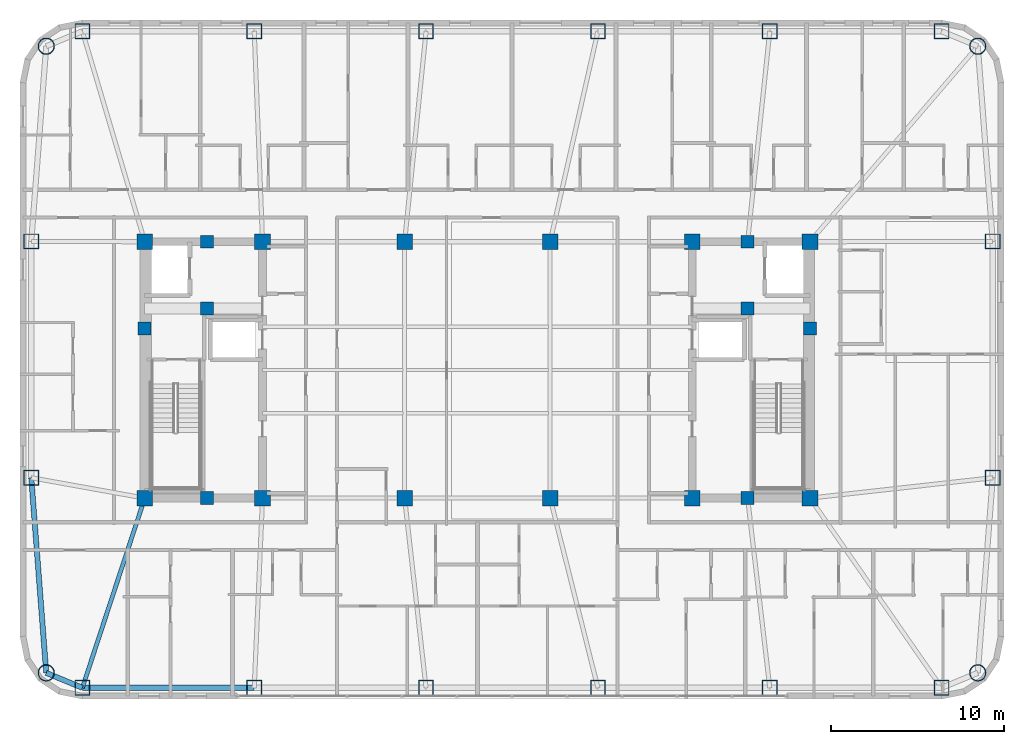
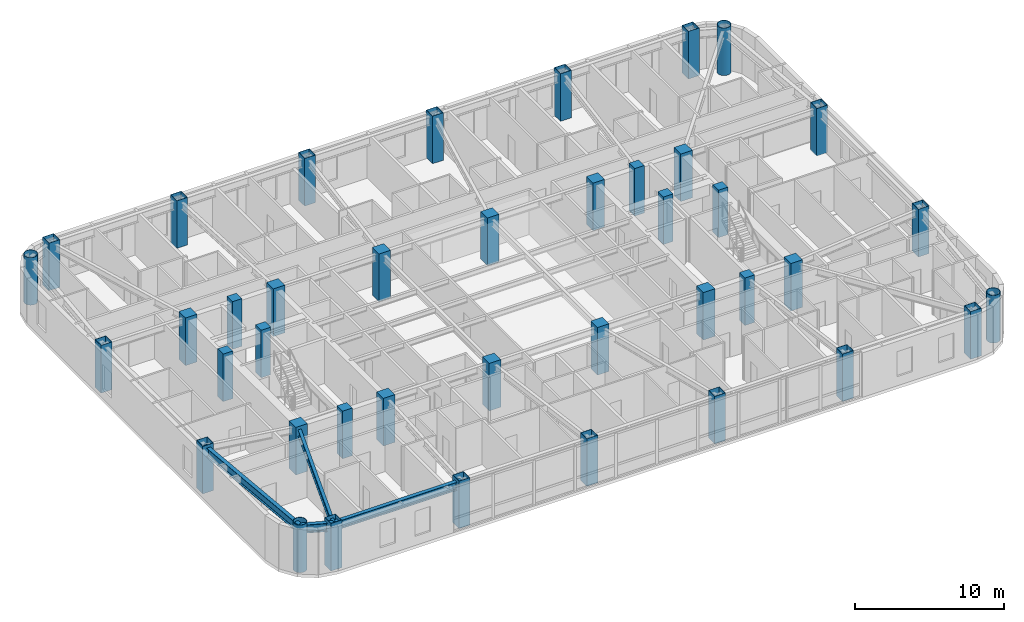
# One storey, part 1 of 16: 40 columns, 4 beams.
"""IFC4 building model written with IfcOpenShell, lengths in metres."""

from ifc_helpers import new_model, si_unit, direction, frame, origin, origin_2d, place, context, subcontext, project, spatial, rectangle, hollow_rectangle, hollow_circle, i_section, extrude, material, material_profile, profile_set, type_object, element, save


model = new_model("IFC4")

# Units and contexts
model_context = context("Model", 3, precision=1e-05, world=origin(), true_north=direction((0.0, 1.0)))
body_context = subcontext(model_context, "Body", "Model", "MODEL_VIEW")
ifc_project = project(units=[si_unit("LENGTHUNIT", "METRE"), si_unit("AREAUNIT", "SQUARE_METRE"), si_unit("VOLUMEUNIT", "CUBIC_METRE"), si_unit("PLANEANGLEUNIT", "RADIAN"), si_unit("MASSUNIT", "GRAM", prefix="KILO")], contexts=[model_context])

# Site, building, storey
site_placement = place(None, origin())
site = spatial("IfcSite", under=ifc_project, at=site_placement, CompositionType="ELEMENT")
building_placement = place(site_placement, origin())
building = spatial("IfcBuilding", under=site, at=building_placement, Name="Voryun Gate Residences", CompositionType="ELEMENT")
storey_placement = place(building_placement, frame((0.0, 0.0, 208.0)))
storey = spatial("IfcBuildingStorey", under=building, at=storey_placement, Name="L51", CompositionType="ELEMENT", Elevation=208.0)

# Columns
ifc_material_1 = material(Name="Concrete C50/60", Category="concrete")
ifc_material_profile_1 = material_profile(ifc_material_1, rectangle(XDim=0.75, YDim=0.75, at=origin_2d()), Name="RC-750x750")
ifc_profile_set_1 = profile_set([ifc_material_profile_1], Name="Concrete C50/60")
column_type_1 = type_object("IfcColumnType", Name="COL_CORE_750", PredefinedType="COLUMN", material=ifc_profile_set_1)
for number, where, z_axis, x_axis, name in (
    (1, (-19.199951171875, 2.39990234375, 0.0), (0.0, 0.0, 1.0), (1.0, 0.0, 0.0), "L51 Core boundary column WC-MW"),
    (2, (-15.60009765625, -7.39990234375, 0.0), (0.0, 0.0, 1.0), (1.0, 0.0, 0.0), "L51 Core boundary column WC-SM"),
    (3, (-15.60009765625, 7.39990234375, 0.0), (0.0, 0.0, 1.0), (1.0, 0.0, 0.0), "L51 Core boundary column WC-NM"),
    (4, (-15.60009765625, 3.550048828125, 0.0), (0.0, 0.0, 1.0), (1.0, 0.0, 0.0), "L51 Core boundary column WC-MM"),
    (5, (15.60009765625, 3.550048828125, 0.0), (0.0, 0.0, 1.0), (1.0, 0.0, 0.0), "L51 Core boundary column EC-MM"),
    (6, (15.60009765625, -7.39990234375, 0.0), (0.0, 0.0, 1.0), (1.0, 0.0, 0.0), "L51 Core boundary column EC-SM"),
    (7, (15.60009765625, 7.39990234375, 0.0), (0.0, 0.0, 1.0), (1.0, 0.0, 0.0), "L51 Core boundary column EC-NM"),
    (8, (19.199951171875, 2.39990234375, 0.0), (0.0, 0.0, 1.0), (1.0, 0.0, 0.0), "L51 Core boundary column EC-ME"),
):
    element("IfcColumn", number, at=place(storey_placement, frame(where, z_axis=z_axis, x_axis=x_axis)), inside=storey, type_object=column_type_1, Name=name, PredefinedType="COLUMN", context=body_context, shape_type="SweptSolid", body=[
        extrude(rectangle(XDim=0.75, YDim=0.75, at=origin_2d()), origin(), (0.0, 0.0, 1.0), 3.89990234375),
    ])
ifc_material_2 = material(Name="Concrete C50/60", Category="concrete")
ifc_material_profile_2 = material_profile(ifc_material_2, rectangle(XDim=0.89990234375, YDim=0.89990234375, at=origin_2d()), Name="RC-900x900")
ifc_profile_set_2 = profile_set([ifc_material_profile_2], Name="Concrete C50/60")
column_type_2 = type_object("IfcColumnType", Name="COL_CORE_900", PredefinedType="COLUMN", material=ifc_profile_set_2)
for number, where, z_axis, x_axis, name in (
    (9, (-19.199951171875, -7.39990234375, 0.0), (0.0, 0.0, 1.0), (1.0, 0.0, 0.0), "L51 Core boundary column WC-SW"),
    (10, (-19.199951171875, 7.39990234375, 0.0), (0.0, 0.0, 1.0), (1.0, 0.0, 0.0), "L51 Core boundary column WC-NW"),
    (11, (-12.39990234375, -7.39990234375, 0.0), (0.0, 0.0, 1.0), (1.0, 0.0, 0.0), "L51 Core boundary column WC-SE"),
    (12, (-12.39990234375, 7.39990234375, 0.0), (0.0, 0.0, 1.0), (1.0, 0.0, 0.0), "L51 Core boundary column WC-NE"),
    (13, (12.39990234375, -7.39990234375, 0.0), (0.0, 0.0, 1.0), (1.0, 0.0, 0.0), "L51 Core boundary column EC-SW"),
    (14, (12.39990234375, 7.39990234375, 0.0), (0.0, 0.0, 1.0), (1.0, 0.0, 0.0), "L51 Core boundary column EC-NW"),
    (15, (19.199951171875, -7.39990234375, 0.0), (0.0, 0.0, 1.0), (1.0, 0.0, 0.0), "L51 Core boundary column EC-SE"),
    (16, (19.199951171875, 7.39990234375, 0.0), (0.0, 0.0, 1.0), (1.0, 0.0, 0.0), "L51 Core boundary column EC-NE"),
    (17, (-4.199951171875, -7.39990234375, 0.0), (0.0, 0.0, 1.0), (1.0, 0.0, 0.0), "L51 Interior spine column SP-WS"),
    (18, (-4.199951171875, 7.39990234375, 0.0), (0.0, 0.0, 1.0), (1.0, 0.0, 0.0), "L51 Interior spine column SP-WN"),
    (19, (4.199951171875, -7.39990234375, 0.0), (0.0, 0.0, 1.0), (1.0, 0.0, 0.0), "L51 Interior spine column SP-ES"),
    (20, (4.199951171875, 7.39990234375, 0.0), (0.0, 0.0, 1.0), (1.0, 0.0, 0.0), "L51 Interior spine column SP-EN"),
):
    element("IfcColumn", number, at=place(storey_placement, frame(where, z_axis=z_axis, x_axis=x_axis)), inside=storey, type_object=column_type_2, Name=name, PredefinedType="COLUMN", context=body_context, shape_type="SweptSolid", body=[
        extrude(rectangle(XDim=0.89990234375, YDim=0.89990234375, at=origin_2d()), origin(), (0.0, 0.0, 1.0), 3.89990234375),
    ])
ifc_material_3 = material(Name="Steel SM420", Category="steel")
ifc_material_profile_3 = material_profile(ifc_material_3, hollow_circle(Radius=0.47509765625, WallThickness=0.031982421875, at=origin_2d()), Name="CHS-950x32")
ifc_profile_set_3 = profile_set([ifc_material_profile_3], Name="Steel SM420")
column_type_3 = type_object("IfcColumnType", Name="COL_CRN_950", PredefinedType="COLUMN", material=ifc_profile_set_3)
for number, where, z_axis, x_axis, name in (
    (21, (28.885986328125, -17.486083984375, 0.0), (0.0, 0.0, 1.0), (1.0, 0.0, 0.0), "L51 Exoskeleton column CSE"),
    (22, (28.885986328125, 18.68603515625, 0.0), (0.0, 0.0, 1.0), (1.0, 0.0, 0.0), "L51 Exoskeleton column CNE"),
    (23, (-24.885986328125, 18.68603515625, 0.0), (0.0, 0.0, 1.0), (1.0, 0.0, 0.0), "L51 Exoskeleton column CNW"),
    (24, (-24.885986328125, -17.486083984375, 0.0), (0.0, 0.0, 1.0), (1.0, 0.0, 0.0), "L51 Exoskeleton column CSW"),
):
    element("IfcColumn", number, at=place(storey_placement, frame(where, z_axis=z_axis, x_axis=x_axis)), inside=storey, type_object=column_type_3, Name=name, PredefinedType="COLUMN", context=body_context, shape_type="SweptSolid", body=[
        extrude(hollow_circle(Radius=0.47509765625, WallThickness=0.031982421875, at=origin_2d()), origin(), (0.0, 0.0, 1.0), 3.89990234375),
    ])
ifc_material_4 = material(Name="Steel SM355", Category="steel")
ifc_material_profile_4 = material_profile(ifc_material_4, hollow_rectangle(XDim=0.85009765625, YDim=0.85009765625, WallThickness=0.028076171875, at=origin_2d()), Name="BOX-850x850x28")
ifc_profile_set_4 = profile_set([ifc_material_profile_4], Name="Steel SM355")
column_type_4 = type_object("IfcColumnType", Name="COL_EXO_B4", PredefinedType="COLUMN", material=ifc_profile_set_4)
for number, where, z_axis, x_axis, name in (
    (25, (-22.800048828125, -18.35009765625, 0.0), (0.0, 0.0, 1.0), (1.0, 0.0, 0.0), "L51 Exoskeleton column S1"),
    (26, (-12.8798828125, -18.35009765625, 0.0), (0.0, 0.0, 1.0), (1.0, 0.0, 0.0), "L51 Exoskeleton column S2"),
    (27, (-2.9599609375, -18.35009765625, 0.0), (0.0, 0.0, 1.0), (1.0, 0.0, 0.0), "L51 Exoskeleton column S3"),
    (28, (6.9599609375, -18.35009765625, 0.0), (0.0, 0.0, 1.0), (1.0, 0.0, 0.0), "L51 Exoskeleton column S4"),
    (29, (16.8798828125, -18.35009765625, 0.0), (0.0, 0.0, 1.0), (1.0, 0.0, 0.0), "L51 Exoskeleton column S5"),
    (30, (26.800048828125, -18.35009765625, 0.0), (0.0, 0.0, 1.0), (1.0, 0.0, 0.0), "L51 Exoskeleton column S6"),
    (31, (29.75, -6.221923828125, 0.0), (0.0, 0.0, 1.0), (1.0, 0.0, 0.0), "L51 Exoskeleton column E1"),
    (32, (29.75, 7.422119140625, 0.0), (0.0, 0.0, 1.0), (1.0, 0.0, 0.0), "L51 Exoskeleton column E2"),
    (33, (26.800048828125, 19.550048828125, 0.0), (0.0, 0.0, 1.0), (1.0, 0.0, 0.0), "L51 Exoskeleton column N1"),
    (34, (16.8798828125, 19.550048828125, 0.0), (0.0, 0.0, 1.0), (1.0, 0.0, 0.0), "L51 Exoskeleton column N2"),
    (35, (6.9599609375, 19.550048828125, 0.0), (0.0, 0.0, 1.0), (1.0, 0.0, 0.0), "L51 Exoskeleton column N3"),
    (36, (-2.9599609375, 19.550048828125, 0.0), (0.0, 0.0, 1.0), (1.0, 0.0, 0.0), "L51 Exoskeleton column N4"),
    (37, (-12.8798828125, 19.550048828125, 0.0), (0.0, 0.0, 1.0), (1.0, 0.0, 0.0), "L51 Exoskeleton column N5"),
    (38, (-22.800048828125, 19.550048828125, 0.0), (0.0, 0.0, 1.0), (1.0, 0.0, 0.0), "L51 Exoskeleton column N6"),
    (39, (-25.75, 7.422119140625, 0.0), (0.0, 0.0, 1.0), (1.0, 0.0, 0.0), "L51 Exoskeleton column W1"),
    (40, (-25.75, -6.221923828125, 0.0), (0.0, 0.0, 1.0), (1.0, 0.0, 0.0), "L51 Exoskeleton column W2"),
):
    element("IfcColumn", number, at=place(storey_placement, frame(where, z_axis=z_axis, x_axis=x_axis)), inside=storey, type_object=column_type_4, Name=name, PredefinedType="COLUMN", context=body_context, shape_type="SweptSolid", body=[
        extrude(hollow_rectangle(XDim=0.85009765625, YDim=0.85009765625, WallThickness=0.028076171875, at=origin_2d()), origin(), (0.0, 0.0, 1.0), 3.89990234375),
    ])

# Beams
ifc_material_5 = material(Name="Steel SM355", Category="steel")
ifc_material_profile_5 = material_profile(ifc_material_5, i_section(OverallWidth=0.300048828125, OverallDepth=0.679931640625, WebThickness=0.013916015625, FlangeThickness=0.02490234375, FilletRadius=0.01806640625, at=origin_2d()), Name="H-680x300x14x25")
ifc_profile_set_5 = profile_set([ifc_material_profile_5], Name="Steel SM355")
beam_type_1 = type_object("IfcBeamType", Name="BM_EXO_SPANDREL_M", PredefinedType="SPANDREL", material=ifc_profile_set_5)
beam_1_placement = place(storey_placement, frame((-22.800048828125, -18.35009765625, 3.31005859375), z_axis=(1.0, 0.0, 0.0), x_axis=(0.0, 1.0, 0.0)))
element("IfcBeam", 41, at=beam_1_placement, inside=storey, type_object=beam_type_1, Name="BM-L51-SPAND-01", PredefinedType="SPANDREL", context=body_context, shape_type="SweptSolid", body=[
    extrude(i_section(OverallWidth=0.300048828125, OverallDepth=0.679931640625, WebThickness=0.013916015625, FlangeThickness=0.02490234375, FilletRadius=0.01806640625, at=origin_2d()), origin(), (0.0, 0.0, 1.0), 9.920166015625),
])
beam_2_placement = place(storey_placement, frame((-25.75, -6.221923828125, 3.31005859375), z_axis=(0.076480009441, -0.997071114894, 0.0), x_axis=(0.997071114894, 0.076480009441, 0.0)))
element("IfcBeam", 42, at=beam_2_placement, inside=storey, type_object=beam_type_1, Name="BM-L51-SPAND-19", PredefinedType="SPANDREL", context=body_context, shape_type="SweptSolid", body=[
    extrude(i_section(OverallWidth=0.300048828125, OverallDepth=0.679931640625, WebThickness=0.013916015625, FlangeThickness=0.02490234375, FilletRadius=0.01806640625, at=origin_2d()), origin(), (0.0, 0.0, 1.0), 11.29736328125),
])
beam_3_placement = place(storey_placement, frame((-24.885986328125, -17.486083984375, 3.31005859375), z_axis=(0.923881087602, -0.382679678022, 0.0), x_axis=(0.382679678022, 0.923881087602, 0.0)))
element("IfcBeam", 43, at=beam_3_placement, inside=storey, type_object=beam_type_1, Name="BM-L51-SPAND-20", PredefinedType="SPANDREL", context=body_context, shape_type="SweptSolid", body=[
    extrude(i_section(OverallWidth=0.300048828125, OverallDepth=0.679931640625, WebThickness=0.013916015625, FlangeThickness=0.02490234375, FilletRadius=0.01806640625, at=origin_2d()), origin(), (0.0, 0.0, 1.0), 2.2578125),
])
ifc_material_6 = material(Name="Steel SM355", Category="steel")
ifc_material_profile_6 = material_profile(ifc_material_6, i_section(OverallWidth=0.239990234375, OverallDepth=0.550048828125, WebThickness=0.011962890625, FlangeThickness=0.02001953125, FilletRadius=0.01806640625, at=origin_2d()), Name="H-550x240x12x20")
ifc_profile_set_6 = profile_set([ifc_material_profile_6], Name="Steel SM355")
beam_type_2 = type_object("IfcBeamType", Name="BM_GIRD_550", PredefinedType="USERDEFINED", material=ifc_profile_set_6)
beam_4_placement = place(storey_placement, frame((-19.199951171875, -7.39990234375, 3.375), z_axis=(-0.312323693326, -0.949975742104, 0.0), x_axis=(0.949975742104, -0.312323693326, 0.0)))
element("IfcBeam", 44, at=beam_4_placement, inside=storey, type_object=beam_type_2, Name="BM-L51-RAD-S1", ObjectType="GIRDER", PredefinedType="USERDEFINED", context=body_context, shape_type="SweptSolid", body=[
    extrude(i_section(OverallWidth=0.239990234375, OverallDepth=0.550048828125, WebThickness=0.011962890625, FlangeThickness=0.02001953125, FilletRadius=0.01806640625, at=origin_2d()), origin(), (0.0, 0.0, 1.0), 11.52685546875),
])

save(model, "model.ifc")
